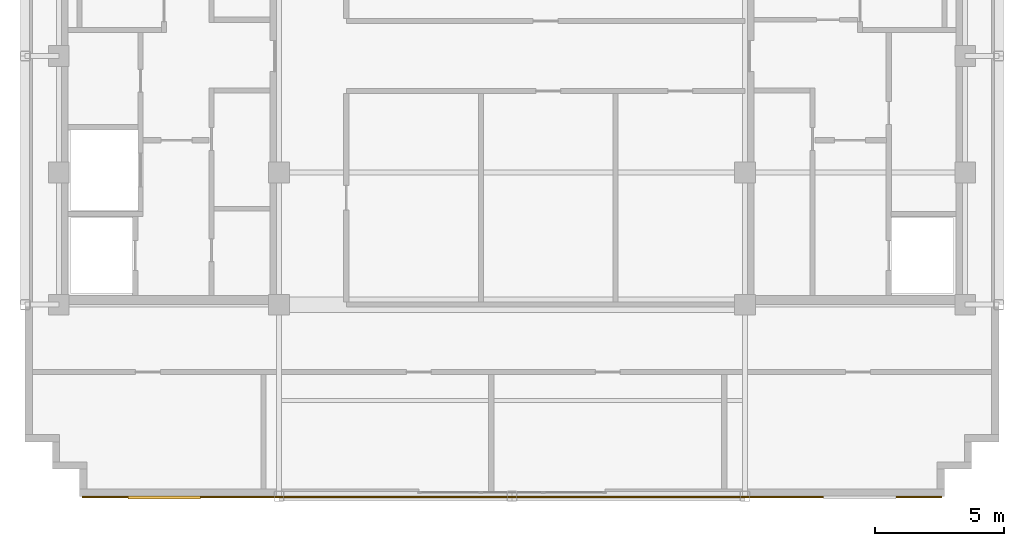
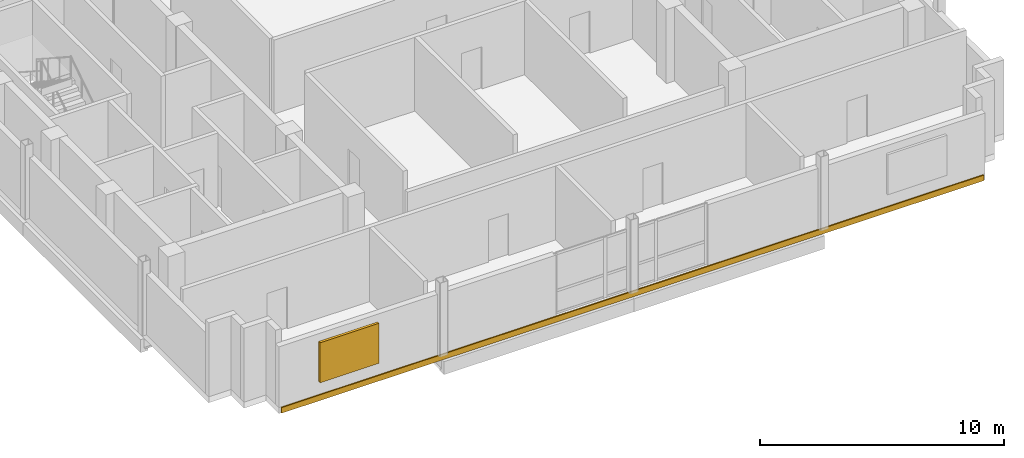
# One storey, part 7 of 10: 1 covering, 1 shading device.
"""IFC4 building model written with IfcOpenShell, lengths in metres."""

from ifc_helpers import new_model, si_unit, direction, frame, origin, origin_2d, place, context, subcontext, project, spatial, rectangle, extrude, source, transform, mapped, material, layer, layer_set, type_object, type_shapes, element, save


model = new_model("IFC4")

# Units and contexts
model_context = context("Model", 3, precision=1e-05, world=origin(), true_north=direction((0.0, 1.0)))
body_context = subcontext(model_context, "Body", "Model", "MODEL_VIEW")
ifc_project = project(units=[si_unit("LENGTHUNIT", "METRE"), si_unit("AREAUNIT", "SQUARE_METRE"), si_unit("VOLUMEUNIT", "CUBIC_METRE"), si_unit("PLANEANGLEUNIT", "RADIAN"), si_unit("MASSUNIT", "GRAM", prefix="KILO")], contexts=[model_context])

# Site, building, storey
site_placement = place(None, origin())
site = spatial("IfcSite", under=ifc_project, at=site_placement, CompositionType="ELEMENT")
building_placement = place(site_placement, origin())
building = spatial("IfcBuilding", under=site, at=building_placement, Name="Nuvemarco Arch Tower", CompositionType="ELEMENT")
storey_placement = place(building_placement, frame((0.0, 0.0, 303.14990234375)))
storey = spatial("IfcBuildingStorey", under=building, at=storey_placement, Name="L80", CompositionType="ELEMENT", Elevation=303.14990234375)

# Shading device
ifc_material_1 = material(Name="Anodised aluminium 6063-T6", Category="aluminium")
shading_device_type = type_object("IfcShadingDeviceType", Name="SHD-LOUVRE-PLANT", PredefinedType="JALOUSIE", material=ifc_material_1)
shared_shape_1 = source(origin(), body_context, "Body", "SweptSolid", [
    extrude(rectangle(XDim=2.800048828125, YDim=0.1201171875, at=origin_2d()), origin(), (0.0, 0.0, 1.0), 2.0),
])
type_shapes(shading_device_type, [shared_shape_1])
shading_device_placement = place(storey_placement, frame((-13.425048828125, -17.054931640625, 0.650146484375), z_axis=(0.0, 0.0, 1.0), x_axis=(1.0, 0.0, 0.0)))
element("IfcShadingDevice", 1, at=shading_device_placement, inside=storey, type_object=shading_device_type, Name="L80 acoustic plant louvre panel 1", PredefinedType="JALOUSIE", context=body_context, shape_type="MappedRepresentation", body=[
    mapped(shared_shape_1, transform((0.0, 0.0, 0.0), scale=1.0)),
])

# Covering
ifc_material_2 = material(Name="Precast concrete C45/55", Category="concrete")
ifc_layer = layer(ifc_material_2, 0.06005859375, Name="COV-SPANDREL-CLAD")
ifc_layer_set = layer_set([ifc_layer], Name="Precast concrete C45/55")
covering_type = type_object("IfcCoveringType", Name="COV-SPANDREL-CLAD", PredefinedType="CLADDING", material=ifc_layer_set)
shared_shape_2 = source(origin(), body_context, "Body", "SweptSolid", [
    extrude(rectangle(XDim=33.199951171875, YDim=0.06005859375, at=origin_2d()), origin(), (0.0, 0.0, 1.0), 0.280029296875),
])
type_shapes(covering_type, [shared_shape_2])
covering_placement = place(storey_placement, frame((0.0, -17.029052734375, -0.27978515625), z_axis=(0.0, 0.0, 1.0), x_axis=(1.0, 0.0, 0.0)))
element("IfcCovering", 2, at=covering_placement, inside=storey, type_object=covering_type, Name="L80 precast spandrel edge cladding south", PredefinedType="CLADDING", context=body_context, shape_type="MappedRepresentation", body=[
    mapped(shared_shape_2, transform((0.0, 0.0, 0.0), scale=1.0)),
])

save(model, "model.ifc")
